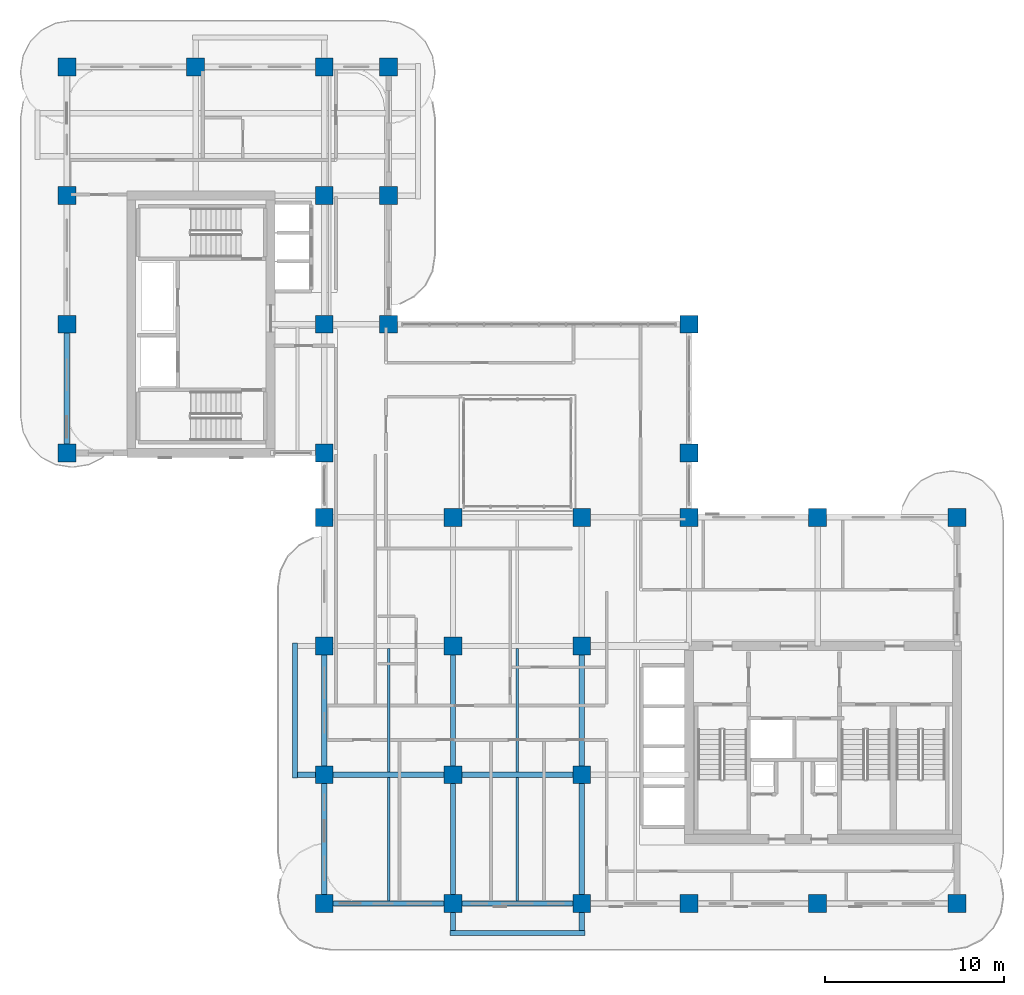
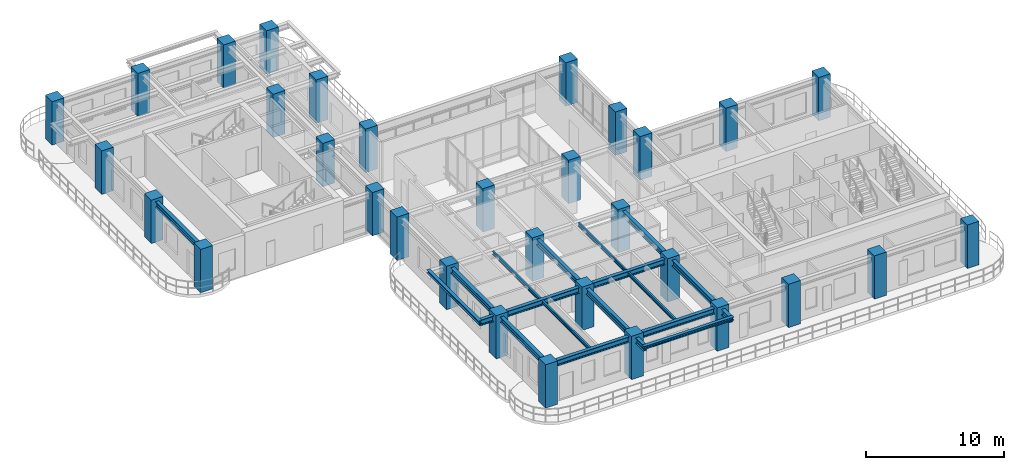
# One storey, part 1 of 20: 32 columns, 17 beams.
"""IFC4 building model written with IfcOpenShell, lengths in metres."""

from ifc_helpers import new_model, si_unit, derived_unit, direction, frame, origin, origin_2d, place, context, subcontext, project, spatial, rectangle, i_section, extrude, source, transform, mapped, material, material_profile, profile_set, type_object, type_shapes, element, save


model = new_model("IFC4")

# Units and contexts
model_context = context("Model", 3, precision=1e-05, world=origin(), true_north=direction((0.0, 1.0)))
body_context = subcontext(model_context, "Body", "Model", "MODEL_VIEW")
ifc_project = project(units=[si_unit("LENGTHUNIT", "METRE"), si_unit("AREAUNIT", "SQUARE_METRE"), si_unit("VOLUMEUNIT", "CUBIC_METRE"), si_unit("PLANEANGLEUNIT", "RADIAN"), si_unit("MASSUNIT", "GRAM", prefix="KILO"), si_unit("THERMODYNAMICTEMPERATUREUNIT", "KELVIN"), si_unit("POWERUNIT", "WATT"), derived_unit("THERMALTRANSMITTANCEUNIT", [(si_unit("POWERUNIT", "WATT"), 1), (si_unit("AREAUNIT", "SQUARE_METRE"), -1), (si_unit("THERMODYNAMICTEMPERATUREUNIT", "KELVIN"), -1)])], contexts=[model_context])

# Site, building, storey
site_placement = place(None, origin())
site = spatial("IfcSite", under=ifc_project, at=site_placement, CompositionType="ELEMENT")
building_placement = place(site_placement, origin())
building = spatial("IfcBuilding", under=site, at=building_placement, Name="Zahravan Archway Hotel and Residences", CompositionType="ELEMENT")
storey_placement = place(building_placement, frame((0.0, 0.0, 161.85009765625)))
storey = spatial("IfcBuildingStorey", under=building, at=storey_placement, Name="L40", CompositionType="ELEMENT", Elevation=161.85009765625)

# Columns
ifc_material_1 = material(Name="Concrete C60/75", Category="concrete")
ifc_material_profile_1 = material_profile(ifc_material_1, rectangle(XDim=1.0, YDim=1.0, at=origin_2d()), Name="RC-COL-1000x1000", Category="concrete")
ifc_profile_set_1 = profile_set([ifc_material_profile_1], Name="Concrete C60/75")
column_type = type_object("IfcColumnType", Name="COL-RC-1000", PredefinedType="COLUMN", material=ifc_profile_set_1)
shared_shape_1 = source(origin(), body_context, "Body", "SweptSolid", [
    extrude(rectangle(XDim=1.0, YDim=1.0, at=origin_2d()), origin(), (0.0, 0.0, 1.0), 3.849853515625),
])
for number, where, z_axis, x_axis, name in (
    (1, (0.0, 25.199951171875, 0.0), (0.0, 0.0, 1.0), (1.0, 0.0, 0.0), "L40 Column 1-E"),
    (2, (0.0, 32.39990234375, 0.0), (0.0, 0.0, 1.0), (1.0, 0.0, 0.0), "L40 Column 1-F"),
    (3, (0.0, 39.60009765625, 0.0), (0.0, 0.0, 1.0), (1.0, 0.0, 0.0), "L40 Column 1-G"),
    (4, (0.0, 46.800048828125, 0.0), (0.0, 0.0, 1.0), (1.0, 0.0, 0.0), "L40 Column 1-H"),
    (5, (7.199951171875, 46.800048828125, 0.0), (0.0, 0.0, 1.0), (1.0, 0.0, 0.0), "L40 Column 2-H"),
    (6, (14.39990234375, 0.0, 0.0), (0.0, 0.0, 1.0), (1.0, 0.0, 0.0), "L40 Column 3-A"),
    (7, (14.39990234375, 7.199951171875, 0.0), (0.0, 0.0, 1.0), (1.0, 0.0, 0.0), "L40 Column 3-B"),
    (8, (14.39990234375, 14.39990234375, 0.0), (0.0, 0.0, 1.0), (1.0, 0.0, 0.0), "L40 Column 3-C"),
    (9, (14.39990234375, 21.60009765625, 0.0), (0.0, 0.0, 1.0), (1.0, 0.0, 0.0), "L40 Column 3-D"),
    (10, (14.39990234375, 25.199951171875, 0.0), (0.0, 0.0, 1.0), (1.0, 0.0, 0.0), "L40 Column 3-E"),
    (11, (14.39990234375, 32.39990234375, 0.0), (0.0, 0.0, 1.0), (1.0, 0.0, 0.0), "L40 Column 3-F"),
    (12, (14.39990234375, 39.60009765625, 0.0), (0.0, 0.0, 1.0), (1.0, 0.0, 0.0), "L40 Column 3-G"),
    (13, (14.39990234375, 46.800048828125, 0.0), (0.0, 0.0, 1.0), (1.0, 0.0, 0.0), "L40 Column 3-H"),
    (14, (21.60009765625, 0.0, 0.0), (0.0, 0.0, 1.0), (1.0, 0.0, 0.0), "L40 Column 4-A"),
    (15, (21.60009765625, 7.199951171875, 0.0), (0.0, 0.0, 1.0), (1.0, 0.0, 0.0), "L40 Column 4-B"),
    (16, (21.60009765625, 14.39990234375, 0.0), (0.0, 0.0, 1.0), (1.0, 0.0, 0.0), "L40 Column 4-C"),
    (17, (21.60009765625, 21.60009765625, 0.0), (0.0, 0.0, 1.0), (1.0, 0.0, 0.0), "L40 Column 4-D"),
    (18, (28.800048828125, 0.0, 0.0), (0.0, 0.0, 1.0), (1.0, 0.0, 0.0), "L40 Column 5-A"),
    (19, (28.800048828125, 7.199951171875, 0.0), (0.0, 0.0, 1.0), (1.0, 0.0, 0.0), "L40 Column 5-B"),
    (20, (28.800048828125, 14.39990234375, 0.0), (0.0, 0.0, 1.0), (1.0, 0.0, 0.0), "L40 Column 5-C"),
    (21, (28.800048828125, 21.60009765625, 0.0), (0.0, 0.0, 1.0), (1.0, 0.0, 0.0), "L40 Column 5-D"),
    (22, (34.800048828125, 0.0, 0.0), (0.0, 0.0, 1.0), (1.0, 0.0, 0.0), "L40 Column 6-A"),
    (23, (34.800048828125, 21.60009765625, 0.0), (0.0, 0.0, 1.0), (1.0, 0.0, 0.0), "L40 Column 6-D"),
    (24, (34.800048828125, 25.199951171875, 0.0), (0.0, 0.0, 1.0), (1.0, 0.0, 0.0), "L40 Column 6-E"),
    (25, (34.800048828125, 32.39990234375, 0.0), (0.0, 0.0, 1.0), (1.0, 0.0, 0.0), "L40 Column 6-F"),
    (26, (42.0, 0.0, 0.0), (0.0, 0.0, 1.0), (1.0, 0.0, 0.0), "L40 Column 7-A"),
    (27, (42.0, 21.60009765625, 0.0), (0.0, 0.0, 1.0), (1.0, 0.0, 0.0), "L40 Column 7-D"),
    (28, (49.800048828125, 0.0, 0.0), (0.0, 0.0, 1.0), (1.0, 0.0, 0.0), "L40 Column 8-A"),
    (29, (49.800048828125, 21.60009765625, 0.0), (0.0, 0.0, 1.0), (1.0, 0.0, 0.0), "L40 Column 8-D"),
    (30, (18.0, 32.39990234375, 0.0), (0.0, 0.0, 1.0), (1.0, 0.0, 0.0), "L40 Column 3B-F"),
    (31, (18.0, 39.60009765625, 0.0), (0.0, 0.0, 1.0), (1.0, 0.0, 0.0), "L40 Column 3B-G"),
    (32, (18.0, 46.800048828125, 0.0), (0.0, 0.0, 1.0), (1.0, 0.0, 0.0), "L40 Column 3B-H"),
):
    element("IfcColumn", number, at=place(storey_placement, frame(where, z_axis=z_axis, x_axis=x_axis)), inside=storey, type_object=column_type, Name=name, PredefinedType="COLUMN", context=body_context, shape_type="MappedRepresentation", body=[
        mapped(shared_shape_1, transform((0.0, 0.0, 0.0), scale=1.0)),
    ])

# Beams
ifc_material_2 = material(Name="Structural Steel S355JR", Category="steel")
ifc_material_profile_2 = material_profile(ifc_material_2, i_section(OverallWidth=0.280029296875, OverallDepth=0.280029296875, WebThickness=0.010498046875, FlangeThickness=0.01806640625, FilletRadius=0.02392578125, at=origin_2d()), Name="HEB 280", Category="steel")
ifc_profile_set_2 = profile_set([ifc_material_profile_2], Name="Structural Steel S355JR")
beam_type_1 = type_object("IfcBeamType", Name="BM-SPN-HEB280", PredefinedType="SPANDREL", material=ifc_profile_set_2)
shared_shape_2 = source(origin(), body_context, "Body", "SweptSolid", [
    extrude(i_section(OverallWidth=0.280029296875, OverallDepth=0.280029296875, WebThickness=0.010498046875, FlangeThickness=0.01806640625, FilletRadius=0.02392578125, at=origin_2d()), origin(), (0.0, 0.0, 1.0), 7.56005859375),
])
type_shapes(beam_type_1, [shared_shape_2])
for number, where, z_axis, x_axis, name in (
    (33, (12.75, 7.02001953125, 3.4599609375), (0.0, 1.0, 0.0), (-1.0, 0.0, 0.0), "L41 WA Balcony Edge Spandrel"),
    (34, (21.419921875, -1.64990234375, 3.4599609375), (1.0, 0.0, 0.0), (0.0, 1.0, 0.0), "L41 SA Balcony Edge Spandrel"),
):
    element("IfcBeam", number, at=place(storey_placement, frame(where, z_axis=z_axis, x_axis=x_axis)), inside=storey, type_object=beam_type_1, Name=name, PredefinedType="SPANDREL", context=body_context, shape_type="MappedRepresentation", body=[
        mapped(shared_shape_2, transform((0.0, 0.0, 0.0), scale=1.0)),
    ])
ifc_material_profile_3 = material_profile(ifc_material_2, i_section(OverallWidth=0.300048828125, OverallDepth=0.5, WebThickness=0.014404296875, FlangeThickness=0.028076171875, FilletRadius=0.027099609375, at=origin_2d()), Name="HEB 500", Category="steel")
ifc_profile_set_3 = profile_set([ifc_material_profile_3], Name="Structural Steel S355JR")
beam_type_2 = type_object("IfcBeamType", Name="BM-PRI-HEB500", PredefinedType="BEAM", material=ifc_profile_set_3)
shared_shape_3 = source(origin(), body_context, "Body", "SweptSolid", [
    extrude(i_section(OverallWidth=0.300048828125, OverallDepth=0.5, WebThickness=0.014404296875, FlangeThickness=0.028076171875, FilletRadius=0.027099609375, at=origin_2d()), origin(), (0.0, 0.0, 1.0), 7.2001953125),
])
type_shapes(beam_type_2, [shared_shape_3])
beam_1_placement = place(storey_placement, frame((14.39990234375, 0.0, 3.349853515625), z_axis=(1.0, 0.0, 0.0), x_axis=(0.0, 1.0, 0.0)))
element("IfcBeam", 35, at=beam_1_placement, inside=storey, type_object=beam_type_2, Name="L40 Primary Girder EW-01", PredefinedType="BEAM", context=body_context, shape_type="MappedRepresentation", body=[
    mapped(shared_shape_3, transform((0.0, 0.0, 0.0), scale=1.0)),
])
shared_shape_4 = source(origin(), body_context, "Body", "SweptSolid", [
    extrude(i_section(OverallWidth=0.300048828125, OverallDepth=0.5, WebThickness=0.014404296875, FlangeThickness=0.028076171875, FilletRadius=0.027099609375, at=origin_2d()), origin(), (0.0, 0.0, 1.0), 7.199951171875),
])
for number, where, z_axis, x_axis, name in (
    (36, (21.60009765625, 0.0, 3.349853515625), (1.0, 0.0, 0.0), (0.0, 1.0, 0.0), "L40 Primary Girder EW-02"),
    (37, (21.60009765625, 7.199951171875, 3.349853515625), (1.0, 0.0, 0.0), (0.0, 1.0, 0.0), "L40 Primary Girder EW-07"),
    (38, (0.0, 25.199951171875, 3.349853515625), (0.0, 1.0, 0.0), (-1.0, 0.0, 0.0), "L40 Primary Girder NS-24"),
    (39, (14.39990234375, 0.0, 3.349853515625), (0.0, 1.0, 0.0), (-1.0, 0.0, 0.0), "L40 Primary Girder NS-28"),
    (40, (14.39990234375, 7.199951171875, 3.349853515625), (0.0, 1.0, 0.0), (-1.0, 0.0, 0.0), "L40 Primary Girder NS-29"),
    (41, (21.60009765625, 7.199951171875, 3.349853515625), (0.0, 1.0, 0.0), (-1.0, 0.0, 0.0), "L40 Primary Girder NS-36"),
    (42, (28.800048828125, 7.199951171875, 3.349853515625), (0.0, 1.0, 0.0), (-1.0, 0.0, 0.0), "L40 Primary Girder NS-39"),
):
    element("IfcBeam", number, at=place(storey_placement, frame(where, z_axis=z_axis, x_axis=x_axis)), inside=storey, type_object=beam_type_2, Name=name, PredefinedType="BEAM", context=body_context, shape_type="MappedRepresentation", body=[
        mapped(shared_shape_4, transform((0.0, 0.0, 0.0), scale=1.0)),
    ])
shared_shape_5 = source(origin(), body_context, "Body", "SweptSolid", [
    extrude(i_section(OverallWidth=0.300048828125, OverallDepth=0.5, WebThickness=0.014404296875, FlangeThickness=0.028076171875, FilletRadius=0.027099609375, at=origin_2d()), origin(), (0.0, 0.0, 1.0), 8.85009765625),
])
beam_2_placement = place(storey_placement, frame((12.75, 7.199951171875, 3.349853515625), z_axis=(1.0, 0.0, 0.0), x_axis=(0.0, 1.0, 0.0)))
element("IfcBeam", 43, at=beam_2_placement, inside=storey, type_object=beam_type_2, Name="L40 Primary Girder EW-06", PredefinedType="BEAM", context=body_context, shape_type="MappedRepresentation", body=[
    mapped(shared_shape_5, transform((0.0, 0.0, 0.0), scale=1.0)),
])
shared_shape_6 = source(origin(), body_context, "Body", "SweptSolid", [
    extrude(i_section(OverallWidth=0.300048828125, OverallDepth=0.5, WebThickness=0.014404296875, FlangeThickness=0.028076171875, FilletRadius=0.027099609375, at=origin_2d()), origin(), (0.0, 0.0, 1.0), 8.849853515625),
])
for number, where, z_axis, x_axis, name in (
    (44, (21.60009765625, -1.64990234375, 3.349853515625), (0.0, 1.0, 0.0), (-1.0, 0.0, 0.0), "L40 Primary Girder NS-35"),
    (45, (28.800048828125, -1.64990234375, 3.349853515625), (0.0, 1.0, 0.0), (-1.0, 0.0, 0.0), "L40 Primary Girder NS-38"),
):
    element("IfcBeam", number, at=place(storey_placement, frame(where, z_axis=z_axis, x_axis=x_axis)), inside=storey, type_object=beam_type_2, Name=name, PredefinedType="BEAM", context=body_context, shape_type="MappedRepresentation", body=[
        mapped(shared_shape_6, transform((0.0, 0.0, 0.0), scale=1.0)),
    ])
ifc_material_profile_4 = material_profile(ifc_material_2, i_section(OverallWidth=0.14990234375, OverallDepth=0.300048828125, WebThickness=0.007080078125, FlangeThickness=0.0107421875, FilletRadius=0.014892578125, at=origin_2d()), Name="IPE 300", Category="steel")
ifc_profile_set_4 = profile_set([ifc_material_profile_4], Name="Structural Steel S355JR")
beam_type_3 = type_object("IfcBeamType", Name="BM-JST-IPE300", PredefinedType="JOIST", material=ifc_profile_set_4)
shared_shape_7 = source(origin(), body_context, "Body", "SweptSolid", [
    extrude(i_section(OverallWidth=0.14990234375, OverallDepth=0.300048828125, WebThickness=0.007080078125, FlangeThickness=0.0107421875, FilletRadius=0.014892578125, at=origin_2d()), origin(), (0.0, 0.0, 1.0), 6.904052734375),
])
type_shapes(beam_type_3, [shared_shape_7])
for number, where, z_axis, x_axis, name in (
    (46, (18.0, 0.14794921875, 3.449951171875), (0.0, 1.0, 0.0), (-1.0, 0.0, 0.0), "L40 Composite Floor Joist 01"),
    (47, (25.199951171875, 0.14794921875, 3.449951171875), (0.0, 1.0, 0.0), (-1.0, 0.0, 0.0), "L40 Composite Floor Joist 02"),
    (48, (18.0, 7.347900390625, 3.449951171875), (0.0, 1.0, 0.0), (-1.0, 0.0, 0.0), "L40 Composite Floor Joist 04"),
    (49, (25.199951171875, 7.347900390625, 3.449951171875), (0.0, 1.0, 0.0), (-1.0, 0.0, 0.0), "L40 Composite Floor Joist 05"),
):
    element("IfcBeam", number, at=place(storey_placement, frame(where, z_axis=z_axis, x_axis=x_axis)), inside=storey, type_object=beam_type_3, Name=name, PredefinedType="JOIST", context=body_context, shape_type="MappedRepresentation", body=[
        mapped(shared_shape_7, transform((0.0, 0.0, 0.0), scale=1.0)),
    ])

save(model, "model.ifc")
